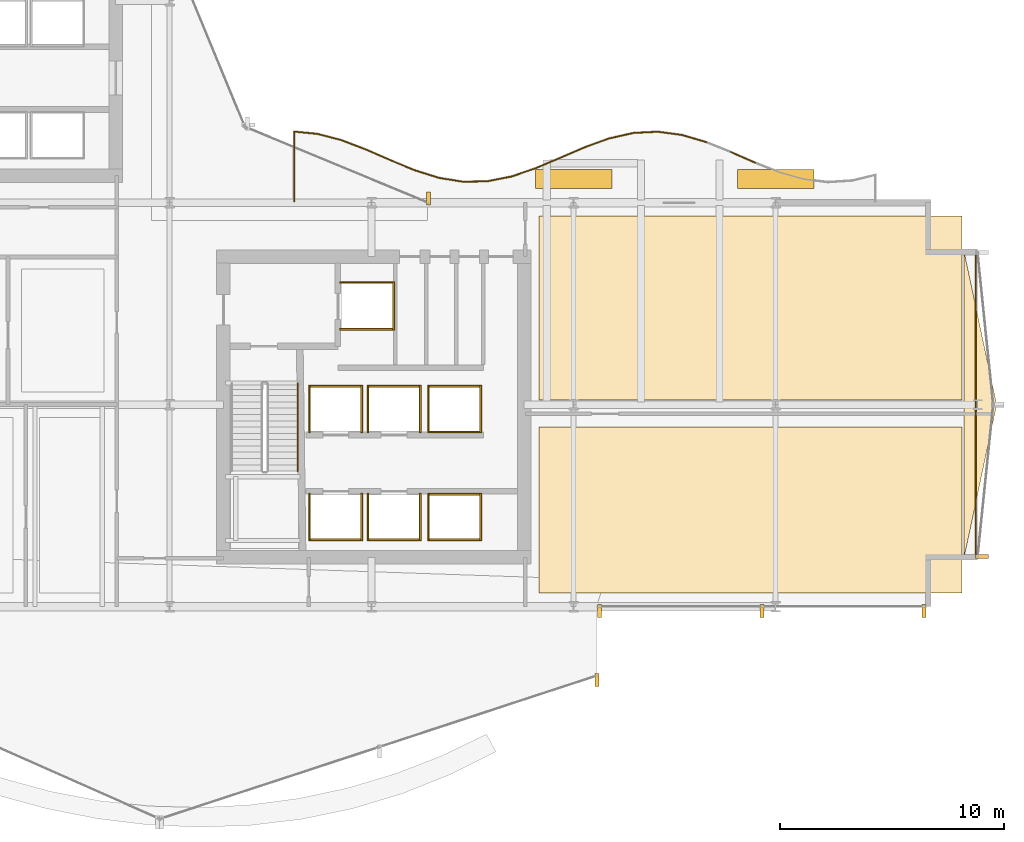
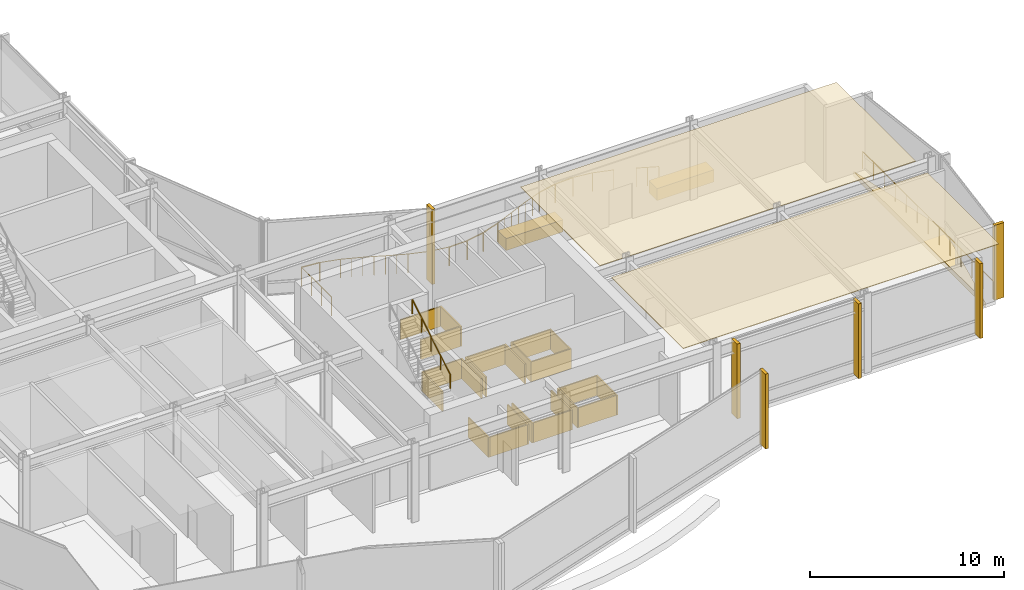
# One storey, part 35 of 39: 34 coverings, 21 railings.
"""IFC4 building model written with IfcOpenShell, lengths in metres."""

from ifc_helpers import new_model, si_unit, direction, frame, origin, origin_2d, place, context, subcontext, project, spatial, polyline, rectangle, circle, outline, extrude, material, layer, layer_set, type_object, element, save


model = new_model("IFC4")

# Units and contexts
model_context = context("Model", 3, precision=1e-05, world=origin(), true_north=direction((0.0, 1.0)))
body_context = subcontext(model_context, "Body", "Model", "MODEL_VIEW")
ifc_project = project(units=[si_unit("LENGTHUNIT", "METRE"), si_unit("AREAUNIT", "SQUARE_METRE"), si_unit("VOLUMEUNIT", "CUBIC_METRE"), si_unit("PLANEANGLEUNIT", "RADIAN"), si_unit("MASSUNIT", "GRAM", prefix="KILO")], contexts=[model_context])

# Site, building, storey
site_placement = place(None, origin())
site = spatial("IfcSite", under=ifc_project, at=site_placement, CompositionType="ELEMENT")
building_placement = place(site_placement, origin())
building = spatial("IfcBuilding", under=site, at=building_placement, Name="Solvaryn Broadcast Tower", CompositionType="ELEMENT")
storey_placement = place(building_placement, frame((0.0, 0.0, 84.10009765625)))
storey = spatial("IfcBuildingStorey", under=building, at=storey_placement, Name="L20", CompositionType="ELEMENT", Elevation=84.10009765625)

# Coverings
ifc_material_1 = material(Name="Micro-Perforated Acoustic Gypsum Ceiling", Category="concrete")
ifc_layer_1 = layer(ifc_material_1, 0.0400390625)
ifc_layer_set_1 = layer_set([ifc_layer_1], Name="CV-CEIL-ACOUSTIC")
covering_type_1 = type_object("IfcCoveringType", Name="CV-CEIL-ACOUSTIC", PredefinedType="CEILING", material=ifc_layer_set_1)
covering_1_placement = place(storey_placement, frame((0.0, 0.0, 4.679931640625)))
element("IfcCovering", 1, at=covering_1_placement, inside=storey, type_object=covering_type_1, Name="L20 Room Acoustic Ceiling 11", PredefinedType="CEILING", context=body_context, shape_type="SweptSolid", body=[
    extrude(outline(polyline([(43.449951171875, 9.60009765625), (62.300048828125, 9.60009765625), (62.300048828125, 17.0), (43.449951171875, 17.0), (43.449951171875, 9.60009765625)])), origin(), (0.0, 0.0, 1.0), 0.0400390625),
])
covering_2_placement = place(storey_placement, frame((0.0, 0.0, 4.679931640625)))
element("IfcCovering", 2, at=covering_2_placement, inside=storey, type_object=covering_type_1, Name="L20 Room Acoustic Ceiling 12", PredefinedType="CEILING", context=body_context, shape_type="SweptSolid", body=[
    extrude(outline(polyline([(43.449951171875, 18.199951171875), (62.300048828125, 18.199951171875), (62.300048828125, 26.39990234375), (43.449951171875, 26.39990234375), (43.449951171875, 18.199951171875)])), origin(), (0.0, 0.0, 1.0), 0.0400390625),
])
ifc_material_2 = material(Name="Fire-Rated Gypsum Shaftwall Liner", Category="concrete")
ifc_layer_2 = layer(ifc_material_2, 0.080078125)
ifc_layer_set_2 = layer_set([ifc_layer_2], Name="CV-SHAFT-LINER")
covering_type_2 = type_object("IfcCoveringType", Name="CV-SHAFT-LINER", PredefinedType="CLADDING", material=ifc_layer_set_2)
for number, where, z_axis, x_axis, name in (
    (3, (35.800048828125, 23.43994140625, 0.0), (0.0, 0.0, 1.0), (1.0, 0.0, 0.0), "L20 FL2 Hoistway Shaft Liner North"),
    (4, (35.800048828125, 21.360107421875, 0.0), (0.0, 0.0, 1.0), (1.0, 0.0, 0.0), "L20 FL2 Hoistway Shaft Liner South"),
):
    element("IfcCovering", number, at=place(storey_placement, frame(where, z_axis=z_axis, x_axis=x_axis)), inside=storey, type_object=covering_type_2, Name=name, PredefinedType="CLADDING", context=body_context, shape_type="SweptSolid", body=[
        extrude(rectangle(XDim=2.4599609375, YDim=0.080078125, at=origin_2d()), origin(), (0.0, 0.0, 1.0), 1.25),
    ])
covering_3_placement = place(storey_placement, frame((36.989990234375, 22.39990234375, 0.0), z_axis=(0.0, 0.0, 1.0), x_axis=(1.0, 0.0, 0.0)))
element("IfcCovering", 5, at=covering_3_placement, inside=storey, type_object=covering_type_2, Name="L20 FL2 Hoistway Shaft Liner East", PredefinedType="CLADDING", context=body_context, shape_type="SweptSolid", body=[
    extrude(rectangle(XDim=0.080078125, YDim=2.159912109375, at=origin_2d()), origin(), (0.0, 0.0, 1.0), 1.25),
])
covering_4_placement = place(storey_placement, frame((34.39990234375, 11.985107421875, 0.0), z_axis=(0.0, 0.0, 1.0), x_axis=(1.0, 0.0, 0.0)))
element("IfcCovering", 6, at=covering_4_placement, inside=storey, type_object=covering_type_2, Name="L20 PL1 Hoistway Shaft Liner South", PredefinedType="CLADDING", context=body_context, shape_type="SweptSolid", body=[
    extrude(rectangle(XDim=2.409912109375, YDim=0.080078125, at=origin_2d()), origin(), (0.0, 0.0, 1.0), 1.25),
])
for number, where, z_axis, x_axis, name in (
    (7, (35.56494140625, 13.0, 0.0), (0.0, 0.0, 1.0), (1.0, 0.0, 0.0), "L20 PL1 Hoistway Shaft Liner East"),
    (8, (33.235107421875, 13.0, 0.0), (0.0, 0.0, 1.0), (1.0, 0.0, 0.0), "L20 PL1 Hoistway Shaft Liner West"),
):
    element("IfcCovering", number, at=place(storey_placement, frame(where, z_axis=z_axis, x_axis=x_axis)), inside=storey, type_object=covering_type_2, Name=name, PredefinedType="CLADDING", context=body_context, shape_type="SweptSolid", body=[
        extrude(rectangle(XDim=0.080078125, YDim=2.110107421875, at=origin_2d()), origin(), (0.0, 0.0, 1.0), 1.25),
    ])
covering_5_placement = place(storey_placement, frame((37.0, 11.985107421875, 0.0), z_axis=(0.0, 0.0, 1.0), x_axis=(1.0, 0.0, 0.0)))
element("IfcCovering", 9, at=covering_5_placement, inside=storey, type_object=covering_type_2, Name="L20 PL2 Hoistway Shaft Liner South", PredefinedType="CLADDING", context=body_context, shape_type="SweptSolid", body=[
    extrude(rectangle(XDim=2.409912109375, YDim=0.080078125, at=origin_2d()), origin(), (0.0, 0.0, 1.0), 1.25),
])
for number, where, z_axis, x_axis, name in (
    (10, (38.1650390625, 13.0, 0.0), (0.0, 0.0, 1.0), (1.0, 0.0, 0.0), "L20 PL2 Hoistway Shaft Liner East"),
    (11, (35.8349609375, 13.0, 0.0), (0.0, 0.0, 1.0), (1.0, 0.0, 0.0), "L20 PL2 Hoistway Shaft Liner West"),
):
    element("IfcCovering", number, at=place(storey_placement, frame(where, z_axis=z_axis, x_axis=x_axis)), inside=storey, type_object=covering_type_2, Name=name, PredefinedType="CLADDING", context=body_context, shape_type="SweptSolid", body=[
        extrude(rectangle(XDim=0.080078125, YDim=2.110107421875, at=origin_2d()), origin(), (0.0, 0.0, 1.0), 1.25),
    ])
covering_6_placement = place(storey_placement, frame((34.39990234375, 18.81494140625, 0.0), z_axis=(0.0, 0.0, 1.0), x_axis=(1.0, 0.0, 0.0)))
element("IfcCovering", 12, at=covering_6_placement, inside=storey, type_object=covering_type_2, Name="L20 PL3 Hoistway Shaft Liner North", PredefinedType="CLADDING", context=body_context, shape_type="SweptSolid", body=[
    extrude(rectangle(XDim=2.409912109375, YDim=0.080078125, at=origin_2d()), origin(), (0.0, 0.0, 1.0), 1.25),
])
for number, where, z_axis, x_axis, name in (
    (13, (35.56494140625, 17.800048828125, 0.0), (0.0, 0.0, 1.0), (1.0, 0.0, 0.0), "L20 PL3 Hoistway Shaft Liner East"),
    (14, (33.235107421875, 17.800048828125, 0.0), (0.0, 0.0, 1.0), (1.0, 0.0, 0.0), "L20 PL3 Hoistway Shaft Liner West"),
):
    element("IfcCovering", number, at=place(storey_placement, frame(where, z_axis=z_axis, x_axis=x_axis)), inside=storey, type_object=covering_type_2, Name=name, PredefinedType="CLADDING", context=body_context, shape_type="SweptSolid", body=[
        extrude(rectangle(XDim=0.080078125, YDim=2.110107421875, at=origin_2d()), origin(), (0.0, 0.0, 1.0), 1.25),
    ])
covering_7_placement = place(storey_placement, frame((37.0, 18.81494140625, 0.0), z_axis=(0.0, 0.0, 1.0), x_axis=(1.0, 0.0, 0.0)))
element("IfcCovering", 15, at=covering_7_placement, inside=storey, type_object=covering_type_2, Name="L20 PL4 Hoistway Shaft Liner North", PredefinedType="CLADDING", context=body_context, shape_type="SweptSolid", body=[
    extrude(rectangle(XDim=2.409912109375, YDim=0.080078125, at=origin_2d()), origin(), (0.0, 0.0, 1.0), 1.25),
])
for number, where, z_axis, x_axis, name in (
    (16, (38.1650390625, 17.800048828125, 0.0), (0.0, 0.0, 1.0), (1.0, 0.0, 0.0), "L20 PL4 Hoistway Shaft Liner East"),
    (17, (35.8349609375, 17.800048828125, 0.0), (0.0, 0.0, 1.0), (1.0, 0.0, 0.0), "L20 PL4 Hoistway Shaft Liner West"),
):
    element("IfcCovering", number, at=place(storey_placement, frame(where, z_axis=z_axis, x_axis=x_axis)), inside=storey, type_object=covering_type_2, Name=name, PredefinedType="CLADDING", context=body_context, shape_type="SweptSolid", body=[
        extrude(rectangle(XDim=0.080078125, YDim=2.110107421875, at=origin_2d()), origin(), (0.0, 0.0, 1.0), 1.25),
    ])
for number, where, z_axis, x_axis, name in (
    (18, (39.699951171875, 14.014892578125, 0.0), (0.0, 0.0, 1.0), (1.0, 0.0, 0.0), "L20 PM1 Hoistway Shaft Liner North"),
    (19, (39.699951171875, 11.985107421875, 0.0), (0.0, 0.0, 1.0), (1.0, 0.0, 0.0), "L20 PM1 Hoistway Shaft Liner South"),
):
    element("IfcCovering", number, at=place(storey_placement, frame(where, z_axis=z_axis, x_axis=x_axis)), inside=storey, type_object=covering_type_2, Name=name, PredefinedType="CLADDING", context=body_context, shape_type="SweptSolid", body=[
        extrude(rectangle(XDim=2.409912109375, YDim=0.080078125, at=origin_2d()), origin(), (0.0, 0.0, 1.0), 1.25),
    ])
for number, where, z_axis, x_axis, name in (
    (20, (40.864990234375, 13.0, 0.0), (0.0, 0.0, 1.0), (1.0, 0.0, 0.0), "L20 PM1 Hoistway Shaft Liner East"),
    (21, (38.534912109375, 13.0, 0.0), (0.0, 0.0, 1.0), (1.0, 0.0, 0.0), "L20 PM1 Hoistway Shaft Liner West"),
):
    element("IfcCovering", number, at=place(storey_placement, frame(where, z_axis=z_axis, x_axis=x_axis)), inside=storey, type_object=covering_type_2, Name=name, PredefinedType="CLADDING", context=body_context, shape_type="SweptSolid", body=[
        extrude(rectangle(XDim=0.080078125, YDim=2.110107421875, at=origin_2d()), origin(), (0.0, 0.0, 1.0), 1.25),
    ])
for number, where, z_axis, x_axis, name in (
    (22, (39.699951171875, 18.81494140625, 0.0), (0.0, 0.0, 1.0), (1.0, 0.0, 0.0), "L20 PM2 Hoistway Shaft Liner North"),
    (23, (39.699951171875, 16.784912109375, 0.0), (0.0, 0.0, 1.0), (1.0, 0.0, 0.0), "L20 PM2 Hoistway Shaft Liner South"),
):
    element("IfcCovering", number, at=place(storey_placement, frame(where, z_axis=z_axis, x_axis=x_axis)), inside=storey, type_object=covering_type_2, Name=name, PredefinedType="CLADDING", context=body_context, shape_type="SweptSolid", body=[
        extrude(rectangle(XDim=2.409912109375, YDim=0.080078125, at=origin_2d()), origin(), (0.0, 0.0, 1.0), 1.25),
    ])
for number, where, z_axis, x_axis, name in (
    (24, (40.864990234375, 17.800048828125, 0.0), (0.0, 0.0, 1.0), (1.0, 0.0, 0.0), "L20 PM2 Hoistway Shaft Liner East"),
    (25, (38.534912109375, 17.800048828125, 0.0), (0.0, 0.0, 1.0), (1.0, 0.0, 0.0), "L20 PM2 Hoistway Shaft Liner West"),
):
    element("IfcCovering", number, at=place(storey_placement, frame(where, z_axis=z_axis, x_axis=x_axis)), inside=storey, type_object=covering_type_2, Name=name, PredefinedType="CLADDING", context=body_context, shape_type="SweptSolid", body=[
        extrude(rectangle(XDim=0.080078125, YDim=2.110107421875, at=origin_2d()), origin(), (0.0, 0.0, 1.0), 1.25),
    ])
ifc_material_3 = material(Name="Glazed Architectural Terracotta Rainscreen Cladding", Category="masonry")
ifc_layer_3 = layer(ifc_material_3, 0.280029296875)
ifc_layer_set_3 = layer_set([ifc_layer_3], Name="CV-TC-CLAD")
covering_type_3 = type_object("IfcCoveringType", Name="CV-TC-CLAD", PredefinedType="CLADDING", material=ifc_layer_set_3)
for number, where, z_axis, x_axis, name in (
    (26, (45.0, 28.050048828125, 0.0), (0.0, 0.0, 1.0), (1.0, 0.0, 0.0), "L20 Sky-Garden Planter Bed 1"),
    (27, (54.0, 28.050048828125, 0.0), (0.0, 0.0, 1.0), (1.0, 0.0, 0.0), "L20 Sky-Garden Planter Bed 2"),
):
    element("IfcCovering", number, at=place(storey_placement, frame(where, z_axis=z_axis, x_axis=x_axis)), inside=storey, type_object=covering_type_3, Name=name, PredefinedType="CLADDING", context=body_context, shape_type="SweptSolid", body=[
        extrude(rectangle(XDim=3.39990234375, YDim=0.85009765625, at=origin_2d()), origin(), (0.0, 0.0, 1.0), 0.760009765625),
    ])
ifc_material_4 = material(Name="Extruded Architectural Terracotta Fin", Category="masonry")
ifc_layer_4 = layer(ifc_material_4, 0.179931640625)
ifc_layer_set_4 = layer_set([ifc_layer_4], Name="CV-TC-FIN")
covering_type_4 = type_object("IfcCoveringType", Name="CV-TC-FIN", PredefinedType="USERDEFINED", material=ifc_layer_set_4)
for number, where, z_axis, x_axis, name in (
    (28, (46.043701171875, 5.735595703125, 0.0), (0.0, 0.0, 1.0), (1.0, 0.0, 0.0), "L20 Terracotta Vertical Fin FIN-L20-DR4-M02"),
    (29, (38.541259765625, 27.177978515625, 0.0), (0.0, 0.0, 1.0), (1.0, 0.0, 0.0), "L20 Terracotta Vertical Fin FIN-L20-CN1-M00"),
    (30, (46.14599609375, 8.8125, 0.0), (0.0, 0.0, 1.0), (1.0, 0.0, 0.0), "L20 Terracotta Vertical Fin FIN-L20-S2-M00"),
    (31, (53.383056640625, 8.8125, 0.0), (0.0, 0.0, 1.0), (1.0, 0.0, 0.0), "L20 Terracotta Vertical Fin FIN-L20-S2-M01"),
    (32, (60.6201171875, 8.8125, 0.0), (0.0, 0.0, 1.0), (1.0, 0.0, 0.0), "L20 Terracotta Vertical Fin FIN-L20-S2-M02"),
):
    element("IfcCovering", number, at=place(storey_placement, frame(where, z_axis=z_axis, x_axis=x_axis)), inside=storey, type_object=covering_type_4, Name=name, ObjectType="FIN", PredefinedType="USERDEFINED", context=body_context, shape_type="SweptSolid", body=[
        extrude(rectangle(XDim=0.179931640625, YDim=0.580078125, at=origin_2d()), origin(), (0.0, 0.0, 1.0), 4.719970703125),
    ])
covering_8_placement = place(storey_placement, frame((63.190673828125, 11.229736328125, 0.0), z_axis=(0.0, 0.0, 1.0), x_axis=(1.0, 0.0, 0.0)))
element("IfcCovering", 33, at=covering_8_placement, inside=storey, type_object=covering_type_4, Name="L20 Terracotta Vertical Fin FIN-L20-ET2-M01", ObjectType="FIN", PredefinedType="USERDEFINED", context=body_context, shape_type="SweptSolid", body=[
    extrude(rectangle(XDim=0.580078125, YDim=0.179931640625, at=origin_2d()), origin(), (0.0, 0.0, 1.0), 4.719970703125),
])
ifc_material_5 = material(Name="Sculpted Architectural Terracotta Wave Fascia", Category="masonry")
ifc_layer_5 = layer(ifc_material_5, 0.340087890625)
ifc_layer_set_5 = layer_set([ifc_layer_5], Name="CV-WAVE-TRAY")
covering_type_5 = type_object("IfcCoveringType", Name="CV-WAVE-TRAY", PredefinedType="CLADDING", material=ifc_layer_set_5)
covering_9_placement = place(storey_placement, frame((0.0, 0.0, -0.300048828125)))
element("IfcCovering", 34, at=covering_9_placement, inside=storey, type_object=covering_type_5, Name="L20 East Curved Wing Deck", PredefinedType="CLADDING", context=body_context, shape_type="SweptSolid", body=[
    extrude(outline(polyline([(62.39990234375, 11.199951171875), (63.85009765625, 18.0), (62.39990234375, 24.800048828125), (62.39990234375, 11.199951171875)])), origin(), (0.0, 0.0, 1.0), 0.329833984375),
])

# Railings
ifc_material_6 = material(Name="Stainless Steel and Laminated Glass Guard", Category="steel")
railing_type_1 = type_object("IfcRailingType", Name="RL-SKYG-1200", PredefinedType="BALUSTRADE", material=ifc_material_6)
railing_1_placement = place(storey_placement, frame((32.56005859375, 27.06005859375, 0.0)))
element("IfcRailing", 35, at=railing_1_placement, inside=storey, type_object=railing_type_1, Name="L20 Terrace Guard TSSG1-1", PredefinedType="BALUSTRADE", context=body_context, shape_type="SweptSolid", body=[
    extrude(circle(Radius=0.02392578125, at=origin_2d()), frame((0.0, 0.0, 1.17578125), z_axis=(0.0, 1.0, 0.0), x_axis=(-1.0, 0.0, 0.0)), (0.0, 0.0, 1.0), 3.10498046875),
    extrude(circle(Radius=0.02099609375, at=origin_2d()), origin(), (0.0, 0.0, 1.0), 1.15185546875),
    extrude(circle(Radius=0.02099609375, at=origin_2d()), frame((0.0, 1.034912109375, 0.0)), (0.0, 0.0, 1.0), 1.15185546875),
    extrude(circle(Radius=0.02099609375, at=origin_2d()), frame((0.0, 2.070068359375, 0.0)), (0.0, 0.0, 1.0), 1.15185546875),
    extrude(circle(Radius=0.02099609375, at=origin_2d()), frame((0.0, 3.10498046875, 0.0)), (0.0, 0.0, 1.0), 1.15185546875),
])
railing_2_placement = place(storey_placement, frame((32.56005859375, 30.1650390625, 0.0)))
element("IfcRailing", 36, at=railing_2_placement, inside=storey, type_object=railing_type_1, Name="L20 Terrace Guard TSSG1-2", PredefinedType="BALUSTRADE", context=body_context, shape_type="SweptSolid", body=[
    extrude(circle(Radius=0.02392578125, at=origin_2d()), frame((0.0, 0.0, 1.17578125), z_axis=(0.995225811856, -0.097599095365, 0.0), x_axis=(0.097599095365, 0.995225811856, 0.0)), (0.0, 0.0, 1.0), 1.028076171875),
    extrude(circle(Radius=0.02099609375, at=origin_2d()), origin(), (0.0, 0.0, 1.0), 1.15185546875),
    extrude(circle(Radius=0.02099609375, at=origin_2d()), frame((1.023193359375, -0.100341796875, 0.0)), (0.0, 0.0, 1.0), 1.15185546875),
])
railing_3_placement = place(storey_placement, frame((33.583251953125, 30.064697265625, 0.0)))
element("IfcRailing", 37, at=railing_3_placement, inside=storey, type_object=railing_type_1, Name="L20 Terrace Guard TSSG1-3", PredefinedType="BALUSTRADE", context=body_context, shape_type="SweptSolid", body=[
    extrude(circle(Radius=0.02392578125, at=origin_2d()), frame((0.0, 0.0, 1.17578125), z_axis=(0.967550097298, -0.252679261552, 0.0), x_axis=(0.252679261552, 0.967550097298, 0.0)), (0.0, 0.0, 1.0), 1.119873046875),
    extrude(circle(Radius=0.02099609375, at=origin_2d()), origin(), (0.0, 0.0, 1.0), 1.15185546875),
    extrude(circle(Radius=0.02099609375, at=origin_2d()), frame((1.08349609375, -0.282958984375, 0.0)), (0.0, 0.0, 1.0), 1.15185546875),
])
railing_4_placement = place(storey_placement, frame((34.666748046875, 29.78173828125, 0.0)))
element("IfcRailing", 38, at=railing_4_placement, inside=storey, type_object=railing_type_1, Name="L20 Terrace Guard TSSG1-4", PredefinedType="BALUSTRADE", context=body_context, shape_type="SweptSolid", body=[
    extrude(circle(Radius=0.02392578125, at=origin_2d()), frame((0.0, 0.0, 1.17578125), z_axis=(0.933805893141, -0.357780035686, 0.0), x_axis=(0.357780035686, 0.933805893141, 0.0)), (0.0, 0.0, 1.0), 1.16015625),
    extrude(circle(Radius=0.02099609375, at=origin_2d()), origin(), (0.0, 0.0, 1.0), 1.15185546875),
    extrude(circle(Radius=0.02099609375, at=origin_2d()), frame((0.54150390625, -0.20751953125, 0.0)), (0.0, 0.0, 1.0), 1.15185546875),
    extrude(circle(Radius=0.02099609375, at=origin_2d()), frame((1.083251953125, -0.4150390625, 0.0)), (0.0, 0.0, 1.0), 1.15185546875),
])
railing_5_placement = place(storey_placement, frame((35.75, 29.36669921875, 0.0)))
element("IfcRailing", 39, at=railing_5_placement, inside=storey, type_object=railing_type_1, Name="L20 Terrace Guard TSSG1-5", PredefinedType="BALUSTRADE", context=body_context, shape_type="SweptSolid", body=[
    extrude(circle(Radius=0.02392578125, at=origin_2d()), frame((0.0, 0.0, 1.17578125), z_axis=(0.916323148446, -0.400439617948, 0.0), x_axis=(0.400439617948, 0.916323148446, 0.0)), (0.0, 0.0, 1.0), 1.18212890625),
    extrude(circle(Radius=0.02099609375, at=origin_2d()), origin(), (0.0, 0.0, 1.0), 1.15185546875),
    extrude(circle(Radius=0.02099609375, at=origin_2d()), frame((0.54150390625, -0.23681640625, 0.0)), (0.0, 0.0, 1.0), 1.15185546875),
    extrude(circle(Radius=0.02099609375, at=origin_2d()), frame((1.083251953125, -0.473388671875, 0.0)), (0.0, 0.0, 1.0), 1.15185546875),
])
railing_6_placement = place(storey_placement, frame((36.833251953125, 28.893310546875, 0.0)))
element("IfcRailing", 40, at=railing_6_placement, inside=storey, type_object=railing_type_1, Name="L20 Terrace Guard TSSG1-6", PredefinedType="BALUSTRADE", context=body_context, shape_type="SweptSolid", body=[
    extrude(circle(Radius=0.02392578125, at=origin_2d()), frame((0.0, 0.0, 1.17578125), z_axis=(0.92426781632, -0.381744683938, 0.0), x_axis=(0.381744683938, 0.92426781632, 0.0)), (0.0, 0.0, 1.0), 1.17236328125),
    extrude(circle(Radius=0.02099609375, at=origin_2d()), origin(), (0.0, 0.0, 1.0), 1.15185546875),
    extrude(circle(Radius=0.02099609375, at=origin_2d()), frame((0.541748046875, -0.2236328125, 0.0)), (0.0, 0.0, 1.0), 1.15185546875),
    extrude(circle(Radius=0.02099609375, at=origin_2d()), frame((1.08349609375, -0.447509765625, 0.0)), (0.0, 0.0, 1.0), 1.15185546875),
])
railing_7_placement = place(storey_placement, frame((37.916748046875, 28.44580078125, 0.0)))
element("IfcRailing", 41, at=railing_7_placement, inside=storey, type_object=railing_type_1, Name="L20 Terrace Guard TSSG1-7", PredefinedType="BALUSTRADE", context=body_context, shape_type="SweptSolid", body=[
    extrude(circle(Radius=0.02392578125, at=origin_2d()), frame((0.0, 0.0, 1.17578125), z_axis=(0.953777391271, -0.30051403944, 0.0), x_axis=(0.30051403944, 0.953777391271, 0.0)), (0.0, 0.0, 1.0), 1.1357421875),
    extrude(circle(Radius=0.02099609375, at=origin_2d()), origin(), (0.0, 0.0, 1.0), 1.15185546875),
    extrude(circle(Radius=0.02099609375, at=origin_2d()), frame((1.083251953125, -0.34130859375, 0.0)), (0.0, 0.0, 1.0), 1.15185546875),
])
railing_8_placement = place(storey_placement, frame((39.0, 28.1044921875, 0.0)))
element("IfcRailing", 42, at=railing_8_placement, inside=storey, type_object=railing_type_1, Name="L20 Terrace Guard TSSG1-8", PredefinedType="BALUSTRADE", context=body_context, shape_type="SweptSolid", body=[
    extrude(circle(Radius=0.02392578125, at=origin_2d()), frame((0.0, 0.0, 1.17578125), z_axis=(0.987263677434, -0.159092524085, 0.0), x_axis=(0.159092524085, 0.987263677434, 0.0)), (0.0, 0.0, 1.0), 1.09716796875),
    extrude(circle(Radius=0.02099609375, at=origin_2d()), origin(), (0.0, 0.0, 1.0), 1.15185546875),
    extrude(circle(Radius=0.02099609375, at=origin_2d()), frame((1.083251953125, -0.174560546875, 0.0)), (0.0, 0.0, 1.0), 1.15185546875),
])
railing_9_placement = place(storey_placement, frame((40.083251953125, 27.929931640625, 0.0)))
element("IfcRailing", 43, at=railing_9_placement, inside=storey, type_object=railing_type_1, Name="L20 Terrace Guard TSSG1-9", PredefinedType="BALUSTRADE", context=body_context, shape_type="SweptSolid", body=[
    extrude(circle(Radius=0.02392578125, at=origin_2d()), frame((0.0, 0.0, 1.17578125), z_axis=(0.999766124086, 0.021626306425, 0.0), x_axis=(-0.021626306425, 0.999766124086, 0.0)), (0.0, 0.0, 1.0), 1.083740234375),
    extrude(circle(Radius=0.02099609375, at=origin_2d()), origin(), (0.0, 0.0, 1.0), 1.15185546875),
    extrude(circle(Radius=0.02099609375, at=origin_2d()), frame((1.08349609375, 0.0234375, 0.0)), (0.0, 0.0, 1.0), 1.15185546875),
])
railing_10_placement = place(storey_placement, frame((41.166748046875, 27.953369140625, 0.0)))
element("IfcRailing", 44, at=railing_10_placement, inside=storey, type_object=railing_type_1, Name="L20 Terrace Guard TSSG1-10", PredefinedType="BALUSTRADE", context=body_context, shape_type="SweptSolid", body=[
    extrude(circle(Radius=0.02392578125, at=origin_2d()), frame((0.0, 0.0, 1.17578125), z_axis=(0.980512621218, 0.196456101028, 0.0), x_axis=(-0.196456101028, 0.980512621218, 0.0)), (0.0, 0.0, 1.0), 1.104736328125),
    extrude(circle(Radius=0.02099609375, at=origin_2d()), origin(), (0.0, 0.0, 1.0), 1.15185546875),
    extrude(circle(Radius=0.02099609375, at=origin_2d()), frame((1.083251953125, 0.217041015625, 0.0)), (0.0, 0.0, 1.0), 1.15185546875),
])
railing_11_placement = place(storey_placement, frame((42.25, 28.17041015625, 0.0)))
element("IfcRailing", 45, at=railing_11_placement, inside=storey, type_object=railing_type_1, Name="L20 Terrace Guard TSSG1-11", PredefinedType="BALUSTRADE", context=body_context, shape_type="SweptSolid", body=[
    extrude(circle(Radius=0.02392578125, at=origin_2d()), frame((0.0, 0.0, 1.17578125), z_axis=(0.945766433887, 0.324847429624, 0.0), x_axis=(-0.324847429624, 0.945766433887, 0.0)), (0.0, 0.0, 1.0), 1.145263671875),
    extrude(circle(Radius=0.02099609375, at=origin_2d()), origin(), (0.0, 0.0, 1.0), 1.15185546875),
    extrude(circle(Radius=0.02099609375, at=origin_2d()), frame((1.083251953125, 0.3720703125, 0.0)), (0.0, 0.0, 1.0), 1.15185546875),
])
railing_12_placement = place(storey_placement, frame((43.333251953125, 28.54248046875, 0.0)))
element("IfcRailing", 46, at=railing_12_placement, inside=storey, type_object=railing_type_1, Name="L20 Terrace Guard TSSG1-12", PredefinedType="BALUSTRADE", context=body_context, shape_type="SweptSolid", body=[
    extrude(circle(Radius=0.02392578125, at=origin_2d()), frame((0.0, 0.0, 1.17578125), z_axis=(0.920267457662, 0.39128992623, 0.0), x_axis=(-0.39128992623, 0.920267457662, 0.0)), (0.0, 0.0, 1.0), 1.177490234375),
    extrude(circle(Radius=0.02099609375, at=origin_2d()), origin(), (0.0, 0.0, 1.0), 1.15185546875),
    extrude(circle(Radius=0.02099609375, at=origin_2d()), frame((0.541748046875, 0.23046875, 0.0)), (0.0, 0.0, 1.0), 1.15185546875),
    extrude(circle(Radius=0.02099609375, at=origin_2d()), frame((1.08349609375, 0.460693359375, 0.0)), (0.0, 0.0, 1.0), 1.15185546875),
])
railing_13_placement = place(storey_placement, frame((44.416748046875, 29.003173828125, 0.0)))
element("IfcRailing", 47, at=railing_13_placement, inside=storey, type_object=railing_type_1, Name="L20 Terrace Guard TSSG1-13", PredefinedType="BALUSTRADE", context=body_context, shape_type="SweptSolid", body=[
    extrude(circle(Radius=0.02392578125, at=origin_2d()), frame((0.0, 0.0, 1.17578125), z_axis=(0.918211212871, 0.396091111435, 0.0), x_axis=(-0.396091111435, 0.918211212871, 0.0)), (0.0, 0.0, 1.0), 1.1796875),
    extrude(circle(Radius=0.02099609375, at=origin_2d()), origin(), (0.0, 0.0, 1.0), 1.15185546875),
    extrude(circle(Radius=0.02099609375, at=origin_2d()), frame((0.54150390625, 0.233642578125, 0.0)), (0.0, 0.0, 1.0), 1.15185546875),
    extrude(circle(Radius=0.02099609375, at=origin_2d()), frame((1.083251953125, 0.46728515625, 0.0)), (0.0, 0.0, 1.0), 1.15185546875),
])
railing_14_placement = place(storey_placement, frame((45.5, 29.470458984375, 0.0)))
element("IfcRailing", 48, at=railing_14_placement, inside=storey, type_object=railing_type_1, Name="L20 Terrace Guard TSSG1-14", PredefinedType="BALUSTRADE", context=body_context, shape_type="SweptSolid", body=[
    extrude(circle(Radius=0.02392578125, at=origin_2d()), frame((0.0, 0.0, 1.17578125), z_axis=(0.940706194618, 0.339222427629, 0.0), x_axis=(-0.339222427629, 0.940706194618, 0.0)), (0.0, 0.0, 1.0), 1.151611328125),
    extrude(circle(Radius=0.02099609375, at=origin_2d()), origin(), (0.0, 0.0, 1.0), 1.15185546875),
    extrude(circle(Radius=0.02099609375, at=origin_2d()), frame((0.54150390625, 0.1953125, 0.0)), (0.0, 0.0, 1.0), 1.15185546875),
    extrude(circle(Radius=0.02099609375, at=origin_2d()), frame((1.083251953125, 0.390625, 0.0)), (0.0, 0.0, 1.0), 1.15185546875),
])
railing_15_placement = place(storey_placement, frame((46.583251953125, 29.861083984375, 0.0)))
element("IfcRailing", 49, at=railing_15_placement, inside=storey, type_object=railing_type_1, Name="L20 Terrace Guard TSSG1-15", PredefinedType="BALUSTRADE", context=body_context, shape_type="SweptSolid", body=[
    extrude(circle(Radius=0.02392578125, at=origin_2d()), frame((0.0, 0.0, 1.17578125), z_axis=(0.975541449725, 0.219815558748, 0.0), x_axis=(-0.219815558748, 0.975541449725, 0.0)), (0.0, 0.0, 1.0), 1.110595703125),
    extrude(circle(Radius=0.02099609375, at=origin_2d()), origin(), (0.0, 0.0, 1.0), 1.15185546875),
    extrude(circle(Radius=0.02099609375, at=origin_2d()), frame((1.08349609375, 0.244140625, 0.0)), (0.0, 0.0, 1.0), 1.15185546875),
])
railing_16_placement = place(storey_placement, frame((47.666748046875, 30.105224609375, 0.0)))
element("IfcRailing", 50, at=railing_16_placement, inside=storey, type_object=railing_type_1, Name="L20 Terrace Guard TSSG1-16", PredefinedType="BALUSTRADE", context=body_context, shape_type="SweptSolid", body=[
    extrude(circle(Radius=0.02392578125, at=origin_2d()), frame((0.0, 0.0, 1.17578125), z_axis=(0.998739394906, 0.05019582715, 0.0), x_axis=(-0.05019582715, 0.998739394906, 0.0)), (0.0, 0.0, 1.0), 1.084716796875),
    extrude(circle(Radius=0.02099609375, at=origin_2d()), origin(), (0.0, 0.0, 1.0), 1.15185546875),
    extrude(circle(Radius=0.02099609375, at=origin_2d()), frame((1.083251953125, 0.054443359375, 0.0)), (0.0, 0.0, 1.0), 1.15185546875),
])
railing_17_placement = place(storey_placement, frame((48.75, 30.15966796875, 0.0)))
element("IfcRailing", 51, at=railing_17_placement, inside=storey, type_object=railing_type_1, Name="L20 Terrace Guard TSSG1-17", PredefinedType="BALUSTRADE", context=body_context, shape_type="SweptSolid", body=[
    extrude(circle(Radius=0.02392578125, at=origin_2d()), frame((0.0, 0.0, 1.17578125), z_axis=(0.991128123926, -0.132909901676, 0.0), x_axis=(0.132909901676, 0.991128123926, 0.0)), (0.0, 0.0, 1.0), 1.093017578125),
    extrude(circle(Radius=0.02099609375, at=origin_2d()), origin(), (0.0, 0.0, 1.0), 1.15185546875),
    extrude(circle(Radius=0.02099609375, at=origin_2d()), frame((1.083251953125, -0.145263671875, 0.0)), (0.0, 0.0, 1.0), 1.15185546875),
])
railing_18_placement = place(storey_placement, frame((49.833251953125, 30.014404296875, 0.0)))
element("IfcRailing", 52, at=railing_18_placement, inside=storey, type_object=railing_type_1, Name="L20 Terrace Guard TSSG1-18", PredefinedType="BALUSTRADE", context=body_context, shape_type="SweptSolid", body=[
    extrude(circle(Radius=0.02392578125, at=origin_2d()), frame((0.0, 0.0, 1.17578125), z_axis=(0.959265627897, -0.282505672749, 0.0), x_axis=(0.282505672749, 0.959265627897, 0.0)), (0.0, 0.0, 1.0), 1.12939453125),
    extrude(circle(Radius=0.02099609375, at=origin_2d()), origin(), (0.0, 0.0, 1.0), 1.15185546875),
    extrude(circle(Radius=0.02099609375, at=origin_2d()), frame((1.08349609375, -0.319091796875, 0.0)), (0.0, 0.0, 1.0), 1.15185546875),
])
railing_19_placement = place(storey_placement, frame((52.0, 29.259521484375, 0.0)))
element("IfcRailing", 53, at=railing_19_placement, inside=storey, type_object=railing_type_1, Name="L20 Terrace Guard TSSG1-20", PredefinedType="BALUSTRADE", context=body_context, shape_type="SweptSolid", body=[
    extrude(circle(Radius=0.02392578125, at=origin_2d()), frame((0.0, 0.0, 1.17578125), z_axis=(0.915792204598, -0.401652384528, 0.0), x_axis=(0.401652384528, 0.915792204598, 0.0)), (0.0, 0.0, 1.0), 1.182861328125),
    extrude(circle(Radius=0.02099609375, at=origin_2d()), origin(), (0.0, 0.0, 1.0), 1.15185546875),
    extrude(circle(Radius=0.02099609375, at=origin_2d()), frame((0.54150390625, -0.237548828125, 0.0)), (0.0, 0.0, 1.0), 1.15185546875),
    extrude(circle(Radius=0.02099609375, at=origin_2d()), frame((1.083251953125, -0.47509765625, 0.0)), (0.0, 0.0, 1.0), 1.15185546875),
])
ifc_material_7 = material(Name="Brushed Stainless Steel Tubular Handrail", Category="steel")
railing_type_2 = type_object("IfcRailingType", Name="RL-STAIR-HANDRAIL", PredefinedType="HANDRAIL", material=ifc_material_7)
railing_20_placement = place(storey_placement, frame((32.699951171875, 15.0400390625, 2.66650390625)))
element("IfcRailing", 54, at=railing_20_placement, inside=storey, type_object=railing_type_2, Name="L20 ST3 stair handrail 2", PredefinedType="HANDRAIL", context=body_context, shape_type="SweptSolid", body=[
    extrude(circle(Radius=0.02392578125, at=origin_2d()), frame((0.0, 0.0, 0.8759765625), z_axis=(0.0, 0.859272722373, 0.511517730471), x_axis=(-1.0, 0.0, 0.0)), (0.0, 0.0, 1.0), 4.56201171875),
    extrude(circle(Radius=0.02099609375, at=origin_2d()), origin(), (0.0, 0.0, 1.0), 0.851806640625),
    extrude(circle(Radius=0.02099609375, at=origin_2d()), frame((0.0, 0.97998046875, 0.58349609375)), (0.0, 0.0, 1.0), 0.851806640625),
    extrude(circle(Radius=0.02099609375, at=origin_2d()), frame((0.0, 1.9599609375, 1.166748046875)), (0.0, 0.0, 1.0), 0.851806640625),
    extrude(circle(Radius=0.02099609375, at=origin_2d()), frame((0.0, 2.93994140625, 1.75)), (0.0, 0.0, 1.0), 0.851806640625),
    extrude(circle(Radius=0.02099609375, at=origin_2d()), frame((0.0, 3.919921875, 2.33349609375)), (0.0, 0.0, 1.0), 0.851806640625),
])
ifc_material_8 = material(Name="Stainless Steel and Laminated Glass Guard", Category="steel")
railing_type_3 = type_object("IfcRailingType", Name="RL-TER-1150", PredefinedType="BALUSTRADE", material=ifc_material_8)
railing_21_placement = place(storey_placement, frame((62.919921875, 11.199951171875, 0.0)))
element("IfcRailing", 55, at=railing_21_placement, inside=storey, type_object=railing_type_3, Name="L20 East Wing Spandrel Edge Guard", PredefinedType="BALUSTRADE", context=body_context, shape_type="SweptSolid", body=[
    extrude(circle(Radius=0.02392578125, at=origin_2d()), frame((0.0, 0.0, 1.1259765625), z_axis=(0.0, 1.0, 0.0), x_axis=(-1.0, 0.0, 0.0)), (0.0, 0.0, 1.0), 13.60009765625),
    extrude(circle(Radius=0.02099609375, at=origin_2d()), origin(), (0.0, 0.0, 1.0), 1.101806640625),
    extrude(circle(Radius=0.02099609375, at=origin_2d()), frame((0.0, 1.13330078125, 0.0)), (0.0, 0.0, 1.0), 1.101806640625),
    extrude(circle(Radius=0.02099609375, at=origin_2d()), frame((0.0, 2.2666015625, 0.0)), (0.0, 0.0, 1.0), 1.101806640625),
    extrude(circle(Radius=0.02099609375, at=origin_2d()), frame((0.0, 3.39990234375, 0.0)), (0.0, 0.0, 1.0), 1.101806640625),
    extrude(circle(Radius=0.02099609375, at=origin_2d()), frame((0.0, 4.533447265625, 0.0)), (0.0, 0.0, 1.0), 1.101806640625),
    extrude(circle(Radius=0.02099609375, at=origin_2d()), frame((0.0, 5.666748046875, 0.0)), (0.0, 0.0, 1.0), 1.101806640625),
    extrude(circle(Radius=0.02099609375, at=origin_2d()), frame((0.0, 6.800048828125, 0.0)), (0.0, 0.0, 1.0), 1.101806640625),
    extrude(circle(Radius=0.02099609375, at=origin_2d()), frame((0.0, 7.933349609375, 0.0)), (0.0, 0.0, 1.0), 1.101806640625),
    extrude(circle(Radius=0.02099609375, at=origin_2d()), frame((0.0, 9.066650390625, 0.0)), (0.0, 0.0, 1.0), 1.101806640625),
    extrude(circle(Radius=0.02099609375, at=origin_2d()), frame((0.0, 10.2001953125, 0.0)), (0.0, 0.0, 1.0), 1.101806640625),
    extrude(circle(Radius=0.02099609375, at=origin_2d()), frame((0.0, 11.33349609375, 0.0)), (0.0, 0.0, 1.0), 1.101806640625),
    extrude(circle(Radius=0.02099609375, at=origin_2d()), frame((0.0, 12.466796875, 0.0)), (0.0, 0.0, 1.0), 1.101806640625),
    extrude(circle(Radius=0.02099609375, at=origin_2d()), frame((0.0, 13.60009765625, 0.0)), (0.0, 0.0, 1.0), 1.101806640625),
])

save(model, "model.ifc")
